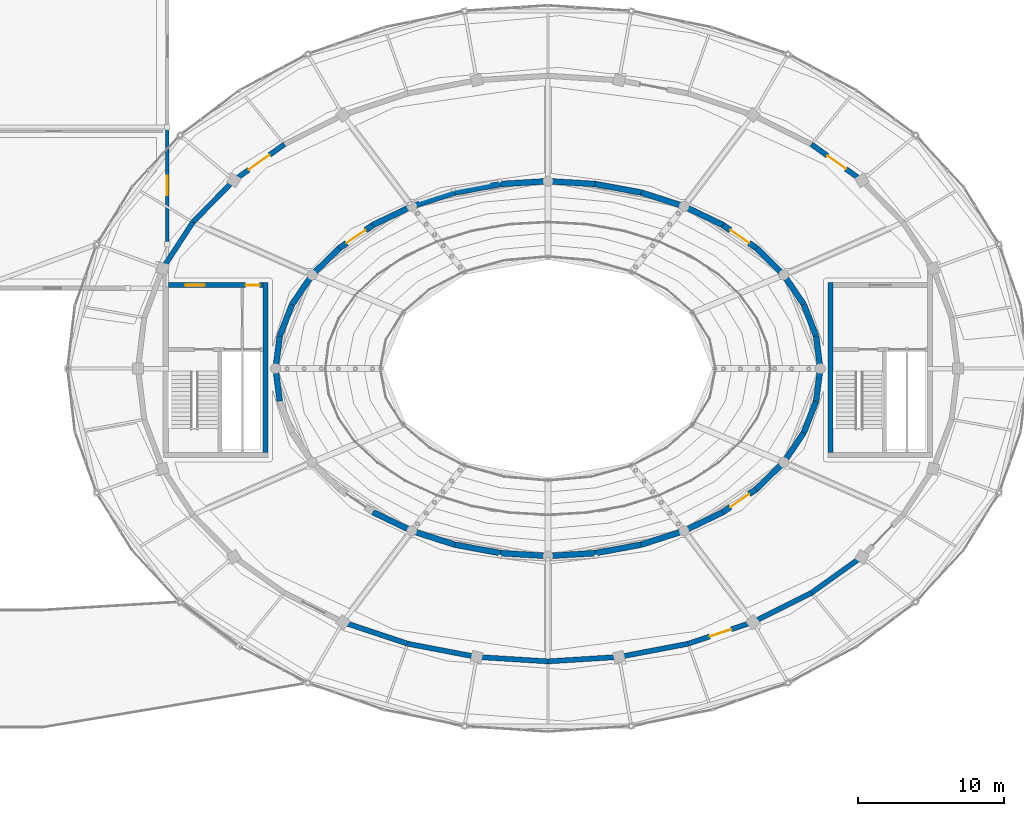
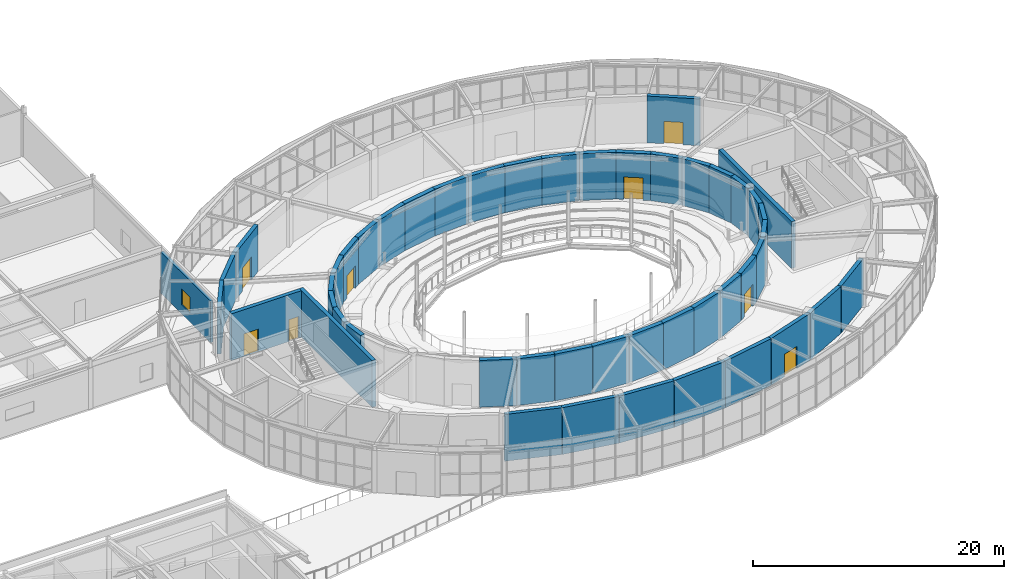
# One storey, part 89 of 108: 48 walls, 8 doors, 1 window, 9 openings.
"""IFC4 building model written with IfcOpenShell, lengths in metres."""

from ifc_helpers import new_model, si_unit, direction, frame, frame_2d, origin, place, context, subcontext, project, spatial, rectangle, extrude, material, layer, layer_set, type_object, element, fill, save


model = new_model("IFC4")

# Units and contexts
model_context = context("Model", 3, precision=1e-05, world=origin(), true_north=direction((0.0, 1.0)))
body_context = subcontext(model_context, "Body", "Model", "MODEL_VIEW")
ifc_project = project(units=[si_unit("LENGTHUNIT", "METRE"), si_unit("AREAUNIT", "SQUARE_METRE"), si_unit("VOLUMEUNIT", "CUBIC_METRE"), si_unit("PLANEANGLEUNIT", "RADIAN"), si_unit("MASSUNIT", "GRAM", prefix="KILO")], contexts=[model_context])

# Site, building, storey
site_placement = place(None, origin())
site = spatial("IfcSite", under=ifc_project, at=site_placement, CompositionType="ELEMENT")
building_placement = place(site_placement, origin())
building = spatial("IfcBuilding", under=site, at=building_placement, Name="Tarnveldt Headland Concert Hall", CompositionType="ELEMENT")
storey_placement = place(building_placement, frame((0.0, 0.0, 9.60009765625)))
storey = spatial("IfcBuildingStorey", under=building, at=storey_placement, Name="L02", CompositionType="ELEMENT", Elevation=9.60009765625)

# Walls
ifc_material_1 = material(Name="Concrete C40/50", Category="concrete")
ifc_layer_1 = layer(ifc_material_1, 0.39990234375, Name="Concrete C40/50", Category="concrete")
ifc_layer_set_1 = layer_set([ifc_layer_1], Name="Concrete C40/50")
wall_type_1 = type_object("IfcWallType", Name="WL-AC400", PredefinedType="SOLIDWALL", material=ifc_layer_set_1)
wall_1_placement = place(storey_placement, frame((102.10009765625, 54.5, 0.0), z_axis=(0.0, 0.0, 1.0), x_axis=(-0.126180195213, 0.992007337844, 0.0)))
element("IfcWall", 1, at=wall_1_placement, inside=storey, type_object=wall_type_1, Name="Acoustic inner box wall L02-1", PredefinedType="SOLIDWALL", context=body_context, shape_type="SweptSolid", body=[
    extrude(rectangle(XDim=2.240478515625, YDim=0.39990234375, at=frame_2d((1.1201171875, 0.0))), origin(), (0.0, 0.0, 1.0), 4.5498046875),
])
wall_2_placement = place(storey_placement, frame((101.8173828125, 56.72265625, 0.0), z_axis=(0.0, 0.0, 1.0), x_axis=(-0.362802811216, 0.931865934657, 0.0)))
element("IfcWall", 2, at=wall_2_placement, inside=storey, type_object=wall_type_1, Name="Acoustic inner box wall L02-2", PredefinedType="SOLIDWALL", context=body_context, shape_type="SweptSolid", body=[
    extrude(rectangle(XDim=2.312744140625, YDim=0.39990234375, at=frame_2d((1.15625, 0.0))), origin(), (0.0, 0.0, 1.0), 4.5498046875),
])
wall_3_placement = place(storey_placement, frame((100.978271484375, 58.8779296875, 0.0), z_axis=(0.0, 0.0, 1.0), x_axis=(-0.560958648975, 0.827843822312, 0.0)))
element("IfcWall", 3, at=wall_3_placement, inside=storey, type_object=wall_type_1, Name="Acoustic inner box wall L02-3", PredefinedType="SOLIDWALL", context=body_context, shape_type="SweptSolid", body=[
    extrude(rectangle(XDim=2.4423828125, YDim=0.39990234375, at=frame_2d((1.22119140625, 0.0))), origin(), (0.0, 0.0, 1.0), 4.5498046875),
])
wall_4_placement = place(storey_placement, frame((99.608154296875, 60.89990234375, 0.0), z_axis=(0.0, 0.0, 1.0), x_axis=(-0.713212431679, 0.700947949065, 0.0)))
element("IfcWall", 4, at=wall_4_placement, inside=storey, type_object=wall_type_1, Name="Acoustic inner box wall L02-4", PredefinedType="SOLIDWALL", context=body_context, shape_type="SweptSolid", body=[
    extrude(rectangle(XDim=2.607666015625, YDim=0.39990234375, at=frame_2d((1.3037109375, 0.0))), origin(), (0.0, 0.0, 1.0), 4.5498046875),
])

# Wall, opening, door
wall_5_placement = place(storey_placement, frame((97.748291015625, 62.727783203125, 0.0), z_axis=(0.0, 0.0, 1.0), x_axis=(-0.823780742291, 0.566908536388, 0.0)))
wall_5 = element("IfcWall", 5, at=wall_5_placement, inside=storey, type_object=wall_type_1, Name="Acoustic inner box wall L02-5", PredefinedType="SOLIDWALL", context=body_context, shape_type="SweptSolid", body=[
    extrude(rectangle(XDim=2.782958984375, YDim=0.39990234375, at=frame_2d((1.3916015625, 0.0))), origin(), (0.0, 0.0, 1.0), 4.5498046875),
])
opening_1_placement = place(wall_5_placement, frame((0.616455078125, 0.0, 0.0)))
opening_1 = element("IfcOpeningElement", 6, at=opening_1_placement, cuts=wall_5, Name="Opening AD-I037", PredefinedType="OPENING", context=body_context, shape_type="SweptSolid", body=[
    extrude(rectangle(XDim=1.550048828125, YDim=2.179931640625, at=frame_2d((0.77490234375, 1.08984375))), frame((0.0, 0.2099609375, 0.0), z_axis=(0.0, -1.0, 0.0), x_axis=(1.0, 0.0, 0.0)), (0.0, 0.0, 1.0), 0.419921875),
])
ifc_material_2 = material(Name="Treated East African mvule hardwood", Category="wood")
door_type_1 = type_object("IfcDoorType", Name="DR-AC155", OperationType="NOTDEFINED", PredefinedType="DOOR", material=ifc_material_2)
door_1_placement = place(opening_1_placement, origin())
door_1 = element("IfcDoor", 7, at=door_1_placement, inside=storey, type_object=door_type_1, Name="Auditorium sound-lock vomitory door L02-5", OperationType="SINGLE_SWING_LEFT", OverallHeight=2.179931640625, OverallWidth=1.550048828125, PredefinedType="DOOR", context=body_context, shape_type="SweptSolid", body=[
    extrude(rectangle(XDim=1.550048828125, YDim=2.179931640625, at=frame_2d((0.77490234375, 1.08984375))), frame((0.0, 0.02490234375, 0.0), z_axis=(0.0, -1.0, 0.0), x_axis=(1.0, 0.0, 0.0)), (0.0, 0.0, 1.0), 0.050048828125),
])
fill(opening_1, door_1)

# Walls
wall_6_placement = place(storey_placement, frame((95.455810546875, 64.305419921875, 0.0), z_axis=(0.0, 0.0, 1.0), x_axis=(-0.900857755122, 0.434114391648, 0.0)))
element("IfcWall", 8, at=wall_6_placement, inside=storey, type_object=wall_type_1, Name="Acoustic inner box wall L02-6", PredefinedType="SOLIDWALL", context=body_context, shape_type="SweptSolid", body=[
    extrude(rectangle(XDim=2.947998046875, YDim=0.39990234375, at=frame_2d((1.47412109375, 0.0))), origin(), (0.0, 0.0, 1.0), 4.5498046875),
])
wall_7_placement = place(storey_placement, frame((92.800048828125, 65.585205078125, 0.0), z_axis=(0.0, 0.0, 1.0), x_axis=(-0.952183186678, 0.305527705795, 0.0)))
element("IfcWall", 9, at=wall_7_placement, inside=storey, type_object=wall_type_1, Name="Acoustic inner box wall L02-7", PredefinedType="SOLIDWALL", context=body_context, shape_type="SweptSolid", body=[
    extrude(rectangle(XDim=3.0859375, YDim=0.39990234375, at=frame_2d((1.54296875, 0.0))), origin(), (0.0, 0.0, 1.0), 4.5498046875),
])
wall_8_placement = place(storey_placement, frame((89.861572265625, 66.528076171875, 0.0), z_axis=(0.0, 0.0, 1.0), x_axis=(-0.9834240594, 0.18132048807, 0.0)))
element("IfcWall", 10, at=wall_8_placement, inside=storey, type_object=wall_type_1, Name="Acoustic inner box wall L02-8", PredefinedType="SOLIDWALL", context=body_context, shape_type="SweptSolid", body=[
    extrude(rectangle(XDim=3.184326171875, YDim=0.39990234375, at=frame_2d((1.59228515625, 0.0))), origin(), (0.0, 0.0, 1.0), 4.5498046875),
])
for number, where, z_axis, x_axis, name in (
    (11, (86.72998046875, 67.10546875, 0.0), (0.0, 0.0, 1.0), (-0.99819038223, 0.060132859761, 0.0), "Acoustic inner box wall L02-9"),
    (12, (83.5, 67.300048828125, 0.0), (0.0, 0.0, 1.0), (-0.99819038223, -0.060132859761, 0.0), "Acoustic inner box wall L02-10"),
):
    element("IfcWall", number, at=place(storey_placement, frame(where, z_axis=z_axis, x_axis=x_axis)), inside=storey, type_object=wall_type_1, Name=name, PredefinedType="SOLIDWALL", context=body_context, shape_type="SweptSolid", body=[
        extrude(rectangle(XDim=3.23583984375, YDim=0.39990234375, at=frame_2d((1.617919921875, 0.0))), origin(), (0.0, 0.0, 1.0), 4.5498046875),
    ])
wall_9_placement = place(storey_placement, frame((80.27001953125, 67.10546875, 0.0), z_axis=(0.0, 0.0, 1.0), x_axis=(-0.9834240594, -0.18132048807, 0.0)))
element("IfcWall", 13, at=wall_9_placement, inside=storey, type_object=wall_type_1, Name="Acoustic inner box wall L02-11", PredefinedType="SOLIDWALL", context=body_context, shape_type="SweptSolid", body=[
    extrude(rectangle(XDim=3.184326171875, YDim=0.39990234375, at=frame_2d((1.59228515625, 0.0))), origin(), (0.0, 0.0, 1.0), 4.5498046875),
])
wall_10_placement = place(storey_placement, frame((77.138427734375, 66.528076171875, 0.0), z_axis=(0.0, 0.0, 1.0), x_axis=(-0.952183186678, -0.305527705795, 0.0)))
element("IfcWall", 14, at=wall_10_placement, inside=storey, type_object=wall_type_1, Name="Acoustic inner box wall L02-12", PredefinedType="SOLIDWALL", context=body_context, shape_type="SweptSolid", body=[
    extrude(rectangle(XDim=3.0859375, YDim=0.39990234375, at=frame_2d((1.54296875, 0.0))), origin(), (0.0, 0.0, 1.0), 4.5498046875),
])
wall_11_placement = place(storey_placement, frame((74.199951171875, 65.585205078125, 0.0), z_axis=(0.0, 0.0, 1.0), x_axis=(-0.900857755122, -0.434114391648, 0.0)))
element("IfcWall", 15, at=wall_11_placement, inside=storey, type_object=wall_type_1, Name="Acoustic inner box wall L02-13", PredefinedType="SOLIDWALL", context=body_context, shape_type="SweptSolid", body=[
    extrude(rectangle(XDim=2.947998046875, YDim=0.39990234375, at=frame_2d((1.47412109375, 0.0))), origin(), (0.0, 0.0, 1.0), 4.5498046875),
])

# Wall, opening, door
wall_12_placement = place(storey_placement, frame((71.544189453125, 64.305419921875, 0.0), z_axis=(0.0, 0.0, 1.0), x_axis=(-0.823780742291, -0.566908536388, 0.0)))
wall_12 = element("IfcWall", 16, at=wall_12_placement, inside=storey, type_object=wall_type_1, Name="Acoustic inner box wall L02-14", PredefinedType="SOLIDWALL", context=body_context, shape_type="SweptSolid", body=[
    extrude(rectangle(XDim=2.782958984375, YDim=0.39990234375, at=frame_2d((1.3916015625, 0.0))), origin(), (0.0, 0.0, 1.0), 4.5498046875),
])
opening_2_placement = place(wall_12_placement, frame((0.616455078125, 0.0, 0.0)))
opening_2 = element("IfcOpeningElement", 17, at=opening_2_placement, cuts=wall_12, Name="Opening AD-I038", PredefinedType="OPENING", context=body_context, shape_type="SweptSolid", body=[
    extrude(rectangle(XDim=1.550048828125, YDim=2.179931640625, at=frame_2d((0.77490234375, 1.08984375))), frame((0.0, 0.2099609375, 0.0), z_axis=(0.0, -1.0, 0.0), x_axis=(1.0, 0.0, 0.0)), (0.0, 0.0, 1.0), 0.419921875),
])
door_2_placement = place(opening_2_placement, origin())
door_2 = element("IfcDoor", 18, at=door_2_placement, inside=storey, type_object=door_type_1, Name="Auditorium sound-lock vomitory door L02-14", OperationType="SINGLE_SWING_RIGHT", OverallHeight=2.179931640625, OverallWidth=1.550048828125, PredefinedType="DOOR", context=body_context, shape_type="SweptSolid", body=[
    extrude(rectangle(XDim=1.550048828125, YDim=2.179931640625, at=frame_2d((0.77490234375, 1.08984375))), frame((0.0, 0.02490234375, 0.0), z_axis=(0.0, -1.0, 0.0), x_axis=(1.0, 0.0, 0.0)), (0.0, 0.0, 1.0), 0.050048828125),
])
fill(opening_2, door_2)

# Walls
wall_13_placement = place(storey_placement, frame((69.251708984375, 62.727783203125, 0.0), z_axis=(0.0, 0.0, 1.0), x_axis=(-0.713212431679, -0.700947949065, 0.0)))
element("IfcWall", 19, at=wall_13_placement, inside=storey, type_object=wall_type_1, Name="Acoustic inner box wall L02-15", PredefinedType="SOLIDWALL", context=body_context, shape_type="SweptSolid", body=[
    extrude(rectangle(XDim=2.607666015625, YDim=0.39990234375, at=frame_2d((1.3037109375, 0.0))), origin(), (0.0, 0.0, 1.0), 4.5498046875),
])
wall_14_placement = place(storey_placement, frame((67.391845703125, 60.89990234375, 0.0), z_axis=(0.0, 0.0, 1.0), x_axis=(-0.560958648975, -0.827843822312, 0.0)))
element("IfcWall", 20, at=wall_14_placement, inside=storey, type_object=wall_type_1, Name="Acoustic inner box wall L02-16", PredefinedType="SOLIDWALL", context=body_context, shape_type="SweptSolid", body=[
    extrude(rectangle(XDim=2.4423828125, YDim=0.39990234375, at=frame_2d((1.22119140625, 0.0))), origin(), (0.0, 0.0, 1.0), 4.5498046875),
])
wall_15_placement = place(storey_placement, frame((66.021728515625, 58.8779296875, 0.0), z_axis=(0.0, 0.0, 1.0), x_axis=(-0.362802811216, -0.931865934657, 0.0)))
element("IfcWall", 21, at=wall_15_placement, inside=storey, type_object=wall_type_1, Name="Acoustic inner box wall L02-17", PredefinedType="SOLIDWALL", context=body_context, shape_type="SweptSolid", body=[
    extrude(rectangle(XDim=2.312744140625, YDim=0.39990234375, at=frame_2d((1.15625, 0.0))), origin(), (0.0, 0.0, 1.0), 4.5498046875),
])
for number, where, z_axis, x_axis, name in (
    (22, (65.1826171875, 56.72265625, 0.0), (0.0, 0.0, 1.0), (-0.126180195213, -0.992007337844, 0.0), "Acoustic inner box wall L02-18"),
    (23, (64.89990234375, 54.5, 0.0), (0.0, 0.0, 1.0), (0.126180195213, -0.992007337844, 0.0), "Acoustic inner box wall L02-19"),
):
    element("IfcWall", number, at=place(storey_placement, frame(where, z_axis=z_axis, x_axis=x_axis)), inside=storey, type_object=wall_type_1, Name=name, PredefinedType="SOLIDWALL", context=body_context, shape_type="SweptSolid", body=[
        extrude(rectangle(XDim=2.240478515625, YDim=0.39990234375, at=frame_2d((1.1201171875, 0.0))), origin(), (0.0, 0.0, 1.0), 4.5498046875),
    ])
wall_16_placement = place(storey_placement, frame((71.544189453125, 44.694580078125, 0.0), z_axis=(0.0, 0.0, 1.0), x_axis=(0.900857755122, -0.434114391648, 0.0)))
element("IfcWall", 24, at=wall_16_placement, inside=storey, type_object=wall_type_1, Name="Acoustic inner box wall L02-24", PredefinedType="SOLIDWALL", context=body_context, shape_type="SweptSolid", body=[
    extrude(rectangle(XDim=2.947998046875, YDim=0.39990234375, at=frame_2d((1.47412109375, 0.0))), origin(), (0.0, 0.0, 1.0), 4.5498046875),
])
wall_17_placement = place(storey_placement, frame((74.199951171875, 43.414794921875, 0.0), z_axis=(0.0, 0.0, 1.0), x_axis=(0.952183186678, -0.305527705795, 0.0)))
element("IfcWall", 25, at=wall_17_placement, inside=storey, type_object=wall_type_1, Name="Acoustic inner box wall L02-25", PredefinedType="SOLIDWALL", context=body_context, shape_type="SweptSolid", body=[
    extrude(rectangle(XDim=3.0859375, YDim=0.39990234375, at=frame_2d((1.54296875, 0.0))), origin(), (0.0, 0.0, 1.0), 4.5498046875),
])
wall_18_placement = place(storey_placement, frame((77.138427734375, 42.471923828125, 0.0), z_axis=(0.0, 0.0, 1.0), x_axis=(0.9834240594, -0.18132048807, 0.0)))
element("IfcWall", 26, at=wall_18_placement, inside=storey, type_object=wall_type_1, Name="Acoustic inner box wall L02-26", PredefinedType="SOLIDWALL", context=body_context, shape_type="SweptSolid", body=[
    extrude(rectangle(XDim=3.184326171875, YDim=0.39990234375, at=frame_2d((1.59228515625, 0.0))), origin(), (0.0, 0.0, 1.0), 4.5498046875),
])
for number, where, z_axis, x_axis, name in (
    (27, (80.27001953125, 41.89453125, 0.0), (0.0, 0.0, 1.0), (0.99819038223, -0.060132859761, 0.0), "Acoustic inner box wall L02-27"),
    (28, (83.5, 41.699951171875, 0.0), (0.0, 0.0, 1.0), (0.99819038223, 0.060132859761, 0.0), "Acoustic inner box wall L02-28"),
):
    element("IfcWall", number, at=place(storey_placement, frame(where, z_axis=z_axis, x_axis=x_axis)), inside=storey, type_object=wall_type_1, Name=name, PredefinedType="SOLIDWALL", context=body_context, shape_type="SweptSolid", body=[
        extrude(rectangle(XDim=3.23583984375, YDim=0.39990234375, at=frame_2d((1.617919921875, 0.0))), origin(), (0.0, 0.0, 1.0), 4.5498046875),
    ])
wall_19_placement = place(storey_placement, frame((86.72998046875, 41.89453125, 0.0), z_axis=(0.0, 0.0, 1.0), x_axis=(0.9834240594, 0.18132048807, 0.0)))
element("IfcWall", 29, at=wall_19_placement, inside=storey, type_object=wall_type_1, Name="Acoustic inner box wall L02-29", PredefinedType="SOLIDWALL", context=body_context, shape_type="SweptSolid", body=[
    extrude(rectangle(XDim=3.184326171875, YDim=0.39990234375, at=frame_2d((1.59228515625, 0.0))), origin(), (0.0, 0.0, 1.0), 4.5498046875),
])
wall_20_placement = place(storey_placement, frame((89.861572265625, 42.471923828125, 0.0), z_axis=(0.0, 0.0, 1.0), x_axis=(0.952183186678, 0.305527705795, 0.0)))
element("IfcWall", 30, at=wall_20_placement, inside=storey, type_object=wall_type_1, Name="Acoustic inner box wall L02-30", PredefinedType="SOLIDWALL", context=body_context, shape_type="SweptSolid", body=[
    extrude(rectangle(XDim=3.0859375, YDim=0.39990234375, at=frame_2d((1.54296875, 0.0))), origin(), (0.0, 0.0, 1.0), 4.5498046875),
])
wall_21_placement = place(storey_placement, frame((92.800048828125, 43.414794921875, 0.0), z_axis=(0.0, 0.0, 1.0), x_axis=(0.900857755122, 0.434114391648, 0.0)))
element("IfcWall", 31, at=wall_21_placement, inside=storey, type_object=wall_type_1, Name="Acoustic inner box wall L02-31", PredefinedType="SOLIDWALL", context=body_context, shape_type="SweptSolid", body=[
    extrude(rectangle(XDim=2.947998046875, YDim=0.39990234375, at=frame_2d((1.47412109375, 0.0))), origin(), (0.0, 0.0, 1.0), 4.5498046875),
])

# Wall, opening, door
wall_22_placement = place(storey_placement, frame((95.455810546875, 44.694580078125, 0.0), z_axis=(0.0, 0.0, 1.0), x_axis=(0.823780742291, 0.566908536388, 0.0)))
wall_22 = element("IfcWall", 32, at=wall_22_placement, inside=storey, type_object=wall_type_1, Name="Acoustic inner box wall L02-32", PredefinedType="SOLIDWALL", context=body_context, shape_type="SweptSolid", body=[
    extrude(rectangle(XDim=2.782958984375, YDim=0.39990234375, at=frame_2d((1.3916015625, 0.0))), origin(), (0.0, 0.0, 1.0), 4.5498046875),
])
opening_3_placement = place(wall_22_placement, frame((0.616455078125, 0.0, 0.0)))
opening_3 = element("IfcOpeningElement", 33, at=opening_3_placement, cuts=wall_22, Name="Opening AD-I040", PredefinedType="OPENING", context=body_context, shape_type="SweptSolid", body=[
    extrude(rectangle(XDim=1.550048828125, YDim=2.179931640625, at=frame_2d((0.77490234375, 1.08984375))), frame((0.0, 0.2099609375, 0.0), z_axis=(0.0, -1.0, 0.0), x_axis=(1.0, 0.0, 0.0)), (0.0, 0.0, 1.0), 0.419921875),
])
door_3_placement = place(opening_3_placement, origin())
door_3 = element("IfcDoor", 34, at=door_3_placement, inside=storey, type_object=door_type_1, Name="Auditorium sound-lock vomitory door L02-32", OperationType="SINGLE_SWING_RIGHT", OverallHeight=2.179931640625, OverallWidth=1.550048828125, PredefinedType="DOOR", context=body_context, shape_type="SweptSolid", body=[
    extrude(rectangle(XDim=1.550048828125, YDim=2.179931640625, at=frame_2d((0.77490234375, 1.08984375))), frame((0.0, 0.02490234375, 0.0), z_axis=(0.0, -1.0, 0.0), x_axis=(1.0, 0.0, 0.0)), (0.0, 0.0, 1.0), 0.050048828125),
])
fill(opening_3, door_3)

# Walls
wall_23_placement = place(storey_placement, frame((97.748291015625, 46.272216796875, 0.0), z_axis=(0.0, 0.0, 1.0), x_axis=(0.713212431679, 0.700947949065, 0.0)))
element("IfcWall", 35, at=wall_23_placement, inside=storey, type_object=wall_type_1, Name="Acoustic inner box wall L02-33", PredefinedType="SOLIDWALL", context=body_context, shape_type="SweptSolid", body=[
    extrude(rectangle(XDim=2.607666015625, YDim=0.39990234375, at=frame_2d((1.3037109375, 0.0))), origin(), (0.0, 0.0, 1.0), 4.5498046875),
])
wall_24_placement = place(storey_placement, frame((99.608154296875, 48.10009765625, 0.0), z_axis=(0.0, 0.0, 1.0), x_axis=(0.560958648975, 0.827843822312, 0.0)))
element("IfcWall", 36, at=wall_24_placement, inside=storey, type_object=wall_type_1, Name="Acoustic inner box wall L02-34", PredefinedType="SOLIDWALL", context=body_context, shape_type="SweptSolid", body=[
    extrude(rectangle(XDim=2.4423828125, YDim=0.39990234375, at=frame_2d((1.22119140625, 0.0))), origin(), (0.0, 0.0, 1.0), 4.5498046875),
])
wall_25_placement = place(storey_placement, frame((100.978271484375, 50.1220703125, 0.0), z_axis=(0.0, 0.0, 1.0), x_axis=(0.362802811216, 0.931865934657, 0.0)))
element("IfcWall", 37, at=wall_25_placement, inside=storey, type_object=wall_type_1, Name="Acoustic inner box wall L02-35", PredefinedType="SOLIDWALL", context=body_context, shape_type="SweptSolid", body=[
    extrude(rectangle(XDim=2.312744140625, YDim=0.39990234375, at=frame_2d((1.15625, 0.0))), origin(), (0.0, 0.0, 1.0), 4.5498046875),
])
wall_26_placement = place(storey_placement, frame((101.8173828125, 52.27734375, 0.0), z_axis=(0.0, 0.0, 1.0), x_axis=(0.126180195213, 0.992007337844, 0.0)))
element("IfcWall", 38, at=wall_26_placement, inside=storey, type_object=wall_type_1, Name="Acoustic inner box wall L02-36", PredefinedType="SOLIDWALL", context=body_context, shape_type="SweptSolid", body=[
    extrude(rectangle(XDim=2.240478515625, YDim=0.39990234375, at=frame_2d((1.1201171875, 0.0))), origin(), (0.0, 0.0, 1.0), 4.5498046875),
])

# Wall, opening, door
ifc_layer_2 = layer(ifc_material_1, 0.35009765625, Name="Concrete C40/50", Category="concrete")
ifc_layer_set_2 = layer_set([ifc_layer_2], Name="Concrete C40/50")
wall_type_2 = type_object("IfcWallType", Name="WL-CR350", PredefinedType="SHEAR", material=ifc_layer_set_2)
wall_27_placement = place(storey_placement, frame((104.94921875, 67.355712890625, 0.0), z_axis=(0.0, 0.0, 1.0), x_axis=(-0.813737360708, 0.581232748378, 0.0)))
wall_27 = element("IfcWall", 39, at=wall_27_placement, inside=storey, type_object=wall_type_2, Name="Symphony drum shear wall L02-5", PredefinedType="SHEAR", context=body_context, shape_type="SweptSolid", body=[
    extrude(rectangle(XDim=4.2412109375, YDim=0.35009765625, at=frame_2d((2.12060546875, 0.0))), origin(), (0.0, 0.0, 1.0), 4.5498046875),
])
opening_4_placement = place(wall_27_placement, frame((1.345458984375, 0.0, 0.0)))
opening_4 = element("IfcOpeningElement", 40, at=opening_4_placement, cuts=wall_27, Name="Opening AD-O019", PredefinedType="OPENING", context=body_context, shape_type="SweptSolid", body=[
    extrude(rectangle(XDim=1.550048828125, YDim=2.179931640625, at=frame_2d((0.77490234375, 1.08984375))), frame((0.0, 0.18505859375, 0.0), z_axis=(0.0, -1.0, 0.0), x_axis=(1.0, 0.0, 0.0)), (0.0, 0.0, 1.0), 0.3701171875),
])
door_4_placement = place(opening_4_placement, origin())
door_4 = element("IfcDoor", 41, at=door_4_placement, inside=storey, type_object=door_type_1, Name="Drum concourse acoustic door L02-5", OperationType="SINGLE_SWING_LEFT", OverallHeight=2.179931640625, OverallWidth=1.550048828125, PredefinedType="DOOR", context=body_context, shape_type="SweptSolid", body=[
    extrude(rectangle(XDim=1.550048828125, YDim=2.179931640625, at=frame_2d((0.77490234375, 1.08984375))), frame((0.0, 0.02490234375, 0.0), z_axis=(0.0, -1.0, 0.0), x_axis=(1.0, 0.0, 0.0)), (0.0, 0.0, 1.0), 0.050048828125),
])
fill(opening_4, door_4)

wall_28_placement = place(storey_placement, frame((65.501953125, 69.82080078125, 0.0), z_axis=(0.0, 0.0, 1.0), x_axis=(-0.813737360708, -0.581232748378, 0.0)))
wall_28 = element("IfcWall", 42, at=wall_28_placement, inside=storey, type_object=wall_type_2, Name="Symphony drum shear wall L02-14", PredefinedType="SHEAR", context=body_context, shape_type="SweptSolid", body=[
    extrude(rectangle(XDim=4.2412109375, YDim=0.35009765625, at=frame_2d((2.12060546875, 0.0))), origin(), (0.0, 0.0, 1.0), 4.5498046875),
])
opening_5_placement = place(wall_28_placement, frame((1.24560546875, 0.0, 0.0)))
opening_5 = element("IfcOpeningElement", 43, at=opening_5_placement, cuts=wall_28, Name="Opening AD-O021", PredefinedType="OPENING", context=body_context, shape_type="SweptSolid", body=[
    extrude(rectangle(XDim=1.75, YDim=2.25, at=frame_2d((0.875, 1.125))), frame((0.0, 0.18505859375, 0.0), z_axis=(0.0, -1.0, 0.0), x_axis=(1.0, 0.0, 0.0)), (0.0, 0.0, 1.0), 0.3701171875),
])
door_type_2 = type_object("IfcDoorType", Name="DR-AC175", OperationType="NOTDEFINED", PredefinedType="DOOR", material=ifc_material_2)
door_5_placement = place(opening_5_placement, origin())
door_5 = element("IfcDoor", 44, at=door_5_placement, inside=storey, type_object=door_type_2, Name="Drum concourse acoustic door L02-14", OperationType="SINGLE_SWING_LEFT", OverallHeight=2.25, OverallWidth=1.75, PredefinedType="DOOR", context=body_context, shape_type="SweptSolid", body=[
    extrude(rectangle(XDim=1.75, YDim=2.25, at=frame_2d((0.875, 1.125))), frame((0.0, 0.02490234375, 0.0), z_axis=(0.0, -1.0, 0.0), x_axis=(1.0, 0.0, 0.0)), (0.0, 0.0, 1.0), 0.050048828125),
])
fill(opening_5, door_5)

# Walls
wall_29_placement = place(storey_placement, frame((62.05078125, 67.355712890625, 0.0), z_axis=(0.0, 0.0, 1.0), x_axis=(-0.700051268358, -0.714092586203, 0.0)))
element("IfcWall", 45, at=wall_29_placement, inside=storey, type_object=wall_type_2, Name="Symphony drum shear wall L02-15", PredefinedType="SHEAR", context=body_context, shape_type="SweptSolid", body=[
    extrude(rectangle(XDim=3.9990234375, YDim=0.35009765625, at=frame_2d((1.99951171875, 0.0))), origin(), (0.0, 0.0, 1.0), 4.5498046875),
])
wall_30_placement = place(storey_placement, frame((59.251220703125, 64.5, 0.0), z_axis=(0.0, 0.0, 1.0), x_axis=(-0.546611158382, -0.837386554425, 0.0)))
element("IfcWall", 46, at=wall_30_placement, inside=storey, type_object=wall_type_2, Name="Symphony drum shear wall L02-16", PredefinedType="SHEAR", context=body_context, shape_type="SweptSolid", body=[
    extrude(rectangle(XDim=3.773193359375, YDim=0.35009765625, at=frame_2d((1.88671875, 0.0))), origin(), (0.0, 0.0, 1.0), 4.5498046875),
])
wall_31_placement = place(storey_placement, frame((69.5, 37.179443359375, 0.0), z_axis=(0.0, 0.0, 1.0), x_axis=(0.948751350732, -0.316023534699, 0.0)))
element("IfcWall", 47, at=wall_31_placement, inside=storey, type_object=wall_type_2, Name="Symphony drum shear wall L02-25", PredefinedType="SHEAR", context=body_context, shape_type="SweptSolid", body=[
    extrude(rectangle(XDim=4.662353515625, YDim=0.35009765625, at=frame_2d((2.3310546875, 0.0))), origin(), (0.0, 0.0, 1.0), 4.5498046875),
])
wall_32_placement = place(storey_placement, frame((73.92333984375, 35.7060546875, 0.0), z_axis=(0.0, 0.0, 1.0), x_axis=(0.982172578083, -0.187981453503, 0.0)))
element("IfcWall", 48, at=wall_32_placement, inside=storey, type_object=wall_type_2, Name="Symphony drum shear wall L02-26", PredefinedType="SHEAR", context=body_context, shape_type="SweptSolid", body=[
    extrude(rectangle(XDim=4.80029296875, YDim=0.35009765625, at=frame_2d((2.400146484375, 0.0))), origin(), (0.0, 0.0, 1.0), 4.5498046875),
])
for number, where, z_axis, x_axis, name in (
    (49, (78.637939453125, 34.8037109375, 0.0), (0.0, 0.0, 1.0), (0.998054722924, -0.06234396562, 0.0), "Symphony drum shear wall L02-27"),
    (50, (83.5, 34.5, 0.0), (0.0, 0.0, 1.0), (0.998054722924, 0.06234396562, 0.0), "Symphony drum shear wall L02-28"),
):
    element("IfcWall", number, at=place(storey_placement, frame(where, z_axis=z_axis, x_axis=x_axis)), inside=storey, type_object=wall_type_2, Name=name, PredefinedType="SHEAR", context=body_context, shape_type="SweptSolid", body=[
        extrude(rectangle(XDim=4.87158203125, YDim=0.35009765625, at=frame_2d((2.435791015625, 0.0))), origin(), (0.0, 0.0, 1.0), 4.5498046875),
    ])
wall_33_placement = place(storey_placement, frame((88.362060546875, 34.8037109375, 0.0), z_axis=(0.0, 0.0, 1.0), x_axis=(0.982172578083, 0.187981453503, 0.0)))
element("IfcWall", 51, at=wall_33_placement, inside=storey, type_object=wall_type_2, Name="Symphony drum shear wall L02-29", PredefinedType="SHEAR", context=body_context, shape_type="SweptSolid", body=[
    extrude(rectangle(XDim=4.80029296875, YDim=0.35009765625, at=frame_2d((2.400146484375, 0.0))), origin(), (0.0, 0.0, 1.0), 4.5498046875),
])

# Wall, opening, door
wall_34_placement = place(storey_placement, frame((93.07666015625, 35.7060546875, 0.0), z_axis=(0.0, 0.0, 1.0), x_axis=(0.948751350732, 0.316023534699, 0.0)))
wall_34 = element("IfcWall", 52, at=wall_34_placement, inside=storey, type_object=wall_type_2, Name="Symphony drum shear wall L02-30", PredefinedType="SHEAR", context=body_context, shape_type="SweptSolid", body=[
    extrude(rectangle(XDim=4.662353515625, YDim=0.35009765625, at=frame_2d((2.3310546875, 0.0))), origin(), (0.0, 0.0, 1.0), 4.5498046875),
])
opening_6_placement = place(wall_34_placement, frame((1.55615234375, 0.0, 0.0)))
opening_6 = element("IfcOpeningElement", 53, at=opening_6_placement, cuts=wall_34, Name="Opening AD-O023", PredefinedType="OPENING", context=body_context, shape_type="SweptSolid", body=[
    extrude(rectangle(XDim=1.550048828125, YDim=2.179931640625, at=frame_2d((0.77490234375, 1.08984375))), frame((0.0, 0.18505859375, 0.0), z_axis=(0.0, -1.0, 0.0), x_axis=(1.0, 0.0, 0.0)), (0.0, 0.0, 1.0), 0.3701171875),
])
door_6_placement = place(opening_6_placement, origin())
door_6 = element("IfcDoor", 54, at=door_6_placement, inside=storey, type_object=door_type_1, Name="Drum concourse acoustic door L02-30", OperationType="SINGLE_SWING_LEFT", OverallHeight=2.179931640625, OverallWidth=1.550048828125, PredefinedType="DOOR", context=body_context, shape_type="SweptSolid", body=[
    extrude(rectangle(XDim=1.550048828125, YDim=2.179931640625, at=frame_2d((0.77490234375, 1.08984375))), frame((0.0, 0.02490234375, 0.0), z_axis=(0.0, -1.0, 0.0), x_axis=(1.0, 0.0, 0.0)), (0.0, 0.0, 1.0), 0.050048828125),
])
fill(opening_6, door_6)

# Walls
wall_35_placement = place(storey_placement, frame((97.5, 37.179443359375, 0.0), z_axis=(0.0, 0.0, 1.0), x_axis=(0.894361644392, 0.447344664705, 0.0)))
element("IfcWall", 55, at=wall_35_placement, inside=storey, type_object=wall_type_2, Name="Symphony drum shear wall L02-31", PredefinedType="SHEAR", context=body_context, shape_type="SweptSolid", body=[
    extrude(rectangle(XDim=4.47021484375, YDim=0.35009765625, at=frame_2d((2.235107421875, 0.0))), origin(), (0.0, 0.0, 1.0), 4.5498046875),
])
wall_36_placement = place(storey_placement, frame((101.498046875, 39.17919921875, 0.0), z_axis=(0.0, 0.0, 1.0), x_axis=(0.813737360708, 0.581232748378, 0.0)))
element("IfcWall", 56, at=wall_36_placement, inside=storey, type_object=wall_type_2, Name="Symphony drum shear wall L02-32", PredefinedType="SHEAR", context=body_context, shape_type="SweptSolid", body=[
    extrude(rectangle(XDim=4.2412109375, YDim=0.35009765625, at=frame_2d((2.12060546875, 0.0))), origin(), (0.0, 0.0, 1.0), 4.5498046875),
])

# Wall, openings, doors
wall_37_placement = place(storey_placement, frame((57.574951171875, 60.199951171875, 0.0), z_axis=(0.0, 0.0, 1.0), x_axis=(1.0, 0.0, 0.0)))
wall_37 = element("IfcWall", 57, at=wall_37_placement, inside=storey, type_object=wall_type_2, Name="Core C1 north shear wall L02", PredefinedType="SHEAR", context=body_context, shape_type="SweptSolid", body=[
    extrude(rectangle(XDim=6.449951171875, YDim=0.35009765625, at=frame_2d((3.22509765625, 0.0))), origin(), (0.0, 0.0, 1.0), 4.5498046875),
])
opening_7_placement = place(wall_37_placement, frame((1.14990234375, 0.0, 0.0)))
opening_7 = element("IfcOpeningElement", 58, at=opening_7_placement, cuts=wall_37, Name="Opening FFD-C1-L02", PredefinedType="OPENING", context=body_context, shape_type="SweptSolid", body=[
    extrude(rectangle(XDim=1.35009765625, YDim=2.199951171875, at=frame_2d((0.675048828125, 1.10009765625))), frame((0.0, 0.18505859375, 0.0), z_axis=(0.0, -1.0, 0.0), x_axis=(1.0, 0.0, 0.0)), (0.0, 0.0, 1.0), 0.3701171875),
])
opening_8_placement = place(wall_37_placement, frame((5.280029296875, 0.0, 0.0)))
opening_8 = element("IfcOpeningElement", 59, at=opening_8_placement, cuts=wall_37, Name="Opening LBD-C1-L02", PredefinedType="OPENING", context=body_context, shape_type="SweptSolid", body=[
    extrude(rectangle(XDim=0.949951171875, YDim=2.1201171875, at=frame_2d((0.47509765625, 1.06005859375))), frame((0.0, 0.18505859375, 0.0), z_axis=(0.0, -1.0, 0.0), x_axis=(1.0, 0.0, 0.0)), (0.0, 0.0, 1.0), 0.3701171875),
])
ifc_material_3 = material(Name="Galvanised painted steel sheet", Category="steel")
door_type_3 = type_object("IfcDoorType", Name="DR-FF135", OperationType="NOTDEFINED", PredefinedType="DOOR", material=ifc_material_3)
door_7_placement = place(opening_7_placement, origin())
door_7 = element("IfcDoor", 60, at=door_7_placement, inside=storey, type_object=door_type_3, Name="Core C1 firefighting lobby entrance door L02", OperationType="SINGLE_SWING_LEFT", OverallHeight=2.199951171875, OverallWidth=1.35009765625, PredefinedType="DOOR", context=body_context, shape_type="SweptSolid", body=[
    extrude(rectangle(XDim=1.35009765625, YDim=2.199951171875, at=frame_2d((0.675048828125, 1.10009765625))), frame((0.0, 0.02490234375, 0.0), z_axis=(0.0, -1.0, 0.0), x_axis=(1.0, 0.0, 0.0)), (0.0, 0.0, 1.0), 0.050048828125),
])
fill(opening_7, door_7)
door_type_4 = type_object("IfcDoorType", Name="DR-RM095", OperationType="NOTDEFINED", PredefinedType="DOOR", material=ifc_material_2)
door_8_placement = place(opening_8_placement, origin())
door_8 = element("IfcDoor", 61, at=door_8_placement, inside=storey, type_object=door_type_4, Name="Core C1 lift lobby entrance door L02", OperationType="SINGLE_SWING_RIGHT", OverallHeight=2.1201171875, OverallWidth=0.949951171875, PredefinedType="DOOR", context=body_context, shape_type="SweptSolid", body=[
    extrude(rectangle(XDim=0.949951171875, YDim=2.1201171875, at=frame_2d((0.47509765625, 1.06005859375))), frame((0.0, 0.02490234375, 0.0), z_axis=(0.0, -1.0, 0.0), x_axis=(1.0, 0.0, 0.0)), (0.0, 0.0, 1.0), 0.050048828125),
])
fill(opening_8, door_8)

# Walls
for number, where, z_axis, x_axis, name in (
    (62, (64.199951171875, 48.77490234375, 0.0), (0.0, 0.0, 1.0), (0.0, 1.0, 0.0), "Core C1 east shear wall L02"),
    (63, (102.800048828125, 48.77490234375, 0.0), (0.0, 0.0, 1.0), (0.0, 1.0, 0.0), "Core C2 west shear wall L02"),
):
    element("IfcWall", number, at=place(storey_placement, frame(where, z_axis=z_axis, x_axis=x_axis)), inside=storey, type_object=wall_type_2, Name=name, PredefinedType="SHEAR", context=body_context, shape_type="SweptSolid", body=[
        extrude(rectangle(XDim=11.60009765625, YDim=0.35009765625, at=frame_2d((5.800048828125, 0.0))), origin(), (0.0, 0.0, 1.0), 4.5498046875),
    ])

# Wall, opening, window
ifc_material_4 = material(Name="Coral-toned precast concrete C40/50", Category="concrete")
ifc_layer_3 = layer(ifc_material_4, 0.25, Name="Coral-toned precast concrete C40/50", Category="concrete")
ifc_layer_set_3 = layer_set([ifc_layer_3], Name="Coral-toned precast concrete C40/50")
wall_type_3 = type_object("IfcWallType", Name="WL-EX250", PredefinedType="SOLIDWALL", material=ifc_layer_set_3)
wall_38_placement = place(storey_placement, frame((57.5, 70.97998046875, 0.0), z_axis=(0.0, 0.0, 1.0), x_axis=(0.0, -1.0, 0.0)))
wall_38 = element("IfcWall", 64, at=wall_38_placement, inside=storey, type_object=wall_type_3, Name="External precast wall L02-300", PredefinedType="SOLIDWALL", context=body_context, shape_type="SweptSolid", body=[
    extrude(rectangle(XDim=7.9599609375, YDim=0.25, at=frame_2d((3.97998046875, 0.0))), origin(), (0.0, 0.0, 1.0), 4.02783203125),
])
opening_9_placement = place(wall_38_placement, frame((3.304931640625, 0.0, 0.89990234375)))
opening_9 = element("IfcOpeningElement", 65, at=opening_9_placement, cuts=wall_38, Name="Opening W-R135", PredefinedType="OPENING", context=body_context, shape_type="SweptSolid", body=[
    extrude(rectangle(XDim=1.35009765625, YDim=1.550048828125, at=frame_2d((0.675048828125, 0.77490234375))), frame((0.0, 0.135009765625, 0.0), z_axis=(0.0, -1.0, 0.0), x_axis=(1.0, 0.0, 0.0)), (0.0, 0.0, 1.0), 0.27001953125),
])
ifc_material_5 = material(Name="Acoustic laminated low-iron double glazing", Category="glass")
window_type = type_object("IfcWindowType", Name="WN-02", PartitioningType="SINGLE_PANEL", PredefinedType="WINDOW", material=ifc_material_5)
window_placement = place(opening_9_placement, origin())
window = element("IfcWindow", 66, at=window_placement, inside=storey, type_object=window_type, Name="Rehearsal wing acoustic window L02-E1", OverallHeight=1.550048828125, OverallWidth=1.35009765625, PartitioningType="SINGLE_PANEL", PredefinedType="WINDOW", context=body_context, shape_type="SweptSolid", body=[
    extrude(rectangle(XDim=1.35009765625, YDim=1.550048828125, at=frame_2d((0.675048828125, 0.77490234375))), frame((0.0, 0.030029296875, 0.0), z_axis=(0.0, -1.0, 0.0), x_axis=(1.0, 0.0, 0.0)), (0.0, 0.0, 1.0), 0.06005859375),
])
fill(opening_9, window)

save(model, "model.ifc")
